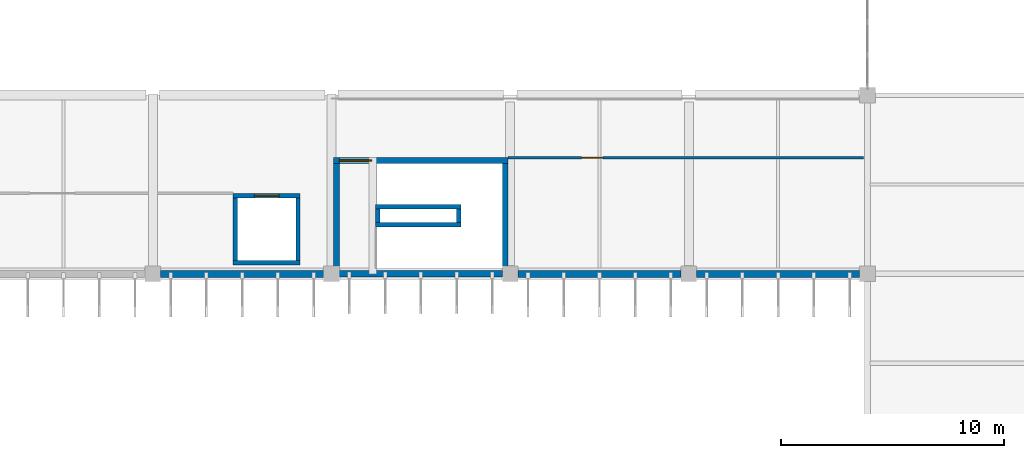
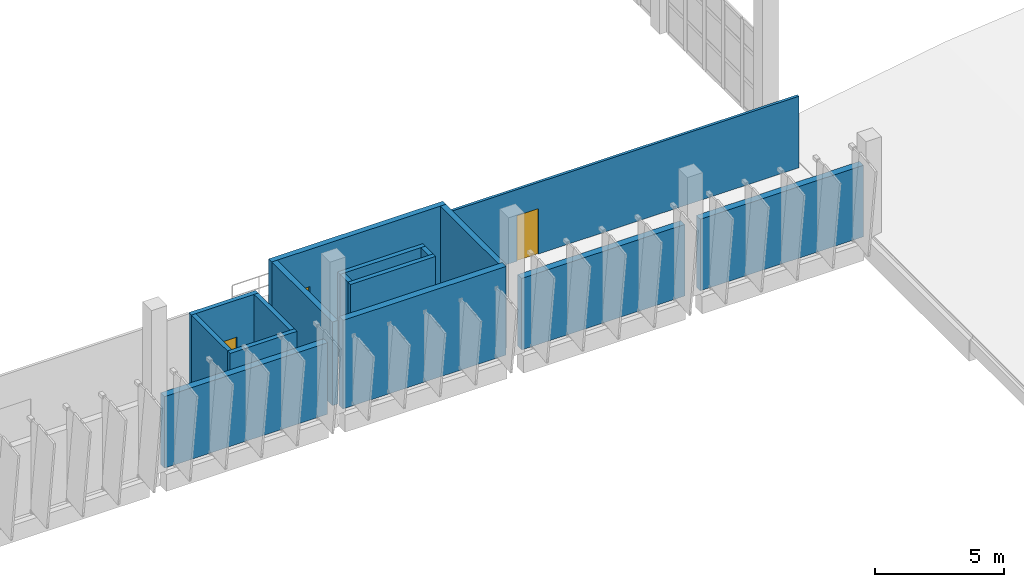
# One storey, part 48 of 66: 16 walls, 3 doors, 3 openings.
"""IFC4 building model written with IfcOpenShell, lengths in metres."""

from ifc_helpers import new_model, si_unit, direction, frame, frame_2d, origin, place, context, subcontext, project, spatial, rectangle, extrude, material, layer, layer_set, type_object, element, fill, save


model = new_model("IFC4")

# Units and contexts
model_context = context("Model", 3, precision=1e-05, world=origin(), true_north=direction((0.0, 1.0)))
body_context = subcontext(model_context, "Body", "Model", "MODEL_VIEW")
ifc_project = project(units=[si_unit("LENGTHUNIT", "METRE"), si_unit("AREAUNIT", "SQUARE_METRE"), si_unit("VOLUMEUNIT", "CUBIC_METRE"), si_unit("PLANEANGLEUNIT", "RADIAN"), si_unit("MASSUNIT", "GRAM", prefix="KILO")], contexts=[model_context])

# Site, building, storey
site_placement = place(None, origin())
site = spatial("IfcSite", under=ifc_project, at=site_placement, CompositionType="ELEMENT")
building_placement = place(site_placement, origin())
building = spatial("IfcBuilding", under=site, at=building_placement, Name="Drelvana Railside Aquatics Centre", CompositionType="ELEMENT")
storey_placement = place(building_placement, frame((0.0, 0.0, 10.199951171875)))
storey = spatial("IfcBuildingStorey", under=building, at=storey_placement, Name="L02", CompositionType="ELEMENT", Elevation=10.199951171875)

# Wall, opening, door
ifc_material_1 = material(Name="Concrete C40/50", Category="concrete")
ifc_layer_1 = layer(ifc_material_1, 0.25, Name="Concrete C40/50")
ifc_layer_set_1 = layer_set([ifc_layer_1], Name="Concrete C40/50")
wall_type_1 = type_object("IfcWallType", Name="WL-CORE-250", PredefinedType="SHEAR", material=ifc_layer_set_1)
wall_1_placement = place(storey_placement, frame((72.10009765625, 21.074951171875, 0.0), z_axis=(0.0, 0.0, 1.0), x_axis=(1.0, 0.0, 0.0)))
wall_1 = element("IfcWall", 1, at=wall_1_placement, inside=storey, type_object=wall_type_1, Name="Core 2 South-East Pool Hall N core wall (L02)", PredefinedType="SHEAR", context=body_context, shape_type="SweptSolid", body=[
    extrude(rectangle(XDim=7.7998046875, YDim=0.25, at=frame_2d((3.89990234375, 0.0))), origin(), (0.0, 0.0, 1.0), 3.9599609375),
])
opening_1_placement = place(wall_1_placement, frame((0.25, 0.0, 0.0)))
opening_1 = element("IfcOpeningElement", 2, at=opening_1_placement, cuts=wall_1, Name="Opening D-01-012", PredefinedType="OPENING", context=body_context, shape_type="SweptSolid", body=[
    extrude(rectangle(XDim=1.449951171875, YDim=2.199951171875, at=frame_2d((0.72509765625, 1.10009765625))), frame((0.0, 0.135009765625, 0.0), z_axis=(0.0, -1.0, 0.0), x_axis=(1.0, 0.0, 0.0)), (0.0, 0.0, 1.0), 0.27001953125),
])
ifc_material_2 = material(Name="Fire-rated steel and vision-panel door", Category="steel")
door_type_1 = type_object("IfcDoorType", Name="DR-INT-STAIR-1450x2200", OperationType="DOUBLE_DOOR_SINGLE_SWING", PredefinedType="DOOR", material=ifc_material_2)
door_1_placement = place(opening_1_placement, origin())
door_1 = element("IfcDoor", 3, at=door_1_placement, inside=storey, type_object=door_type_1, Name="Stair ST-02 lobby door D-01-012", OperationType="DOUBLE_DOOR_SINGLE_SWING", OverallHeight=2.199951171875, OverallWidth=1.449951171875, PredefinedType="DOOR", context=body_context, shape_type="SweptSolid", body=[
    extrude(rectangle(XDim=1.449951171875, YDim=2.199951171875, at=frame_2d((0.72509765625, 1.10009765625))), frame((0.0, 0.02490234375, 0.0), z_axis=(0.0, -1.0, 0.0), x_axis=(1.0, 0.0, 0.0)), (0.0, 0.0, 1.0), 0.050048828125),
])
fill(opening_1, door_1)

# Walls
for number, where, z_axis, x_axis, name in (
    (4, (72.22509765625, 16.25, 0.0), (0.0, 0.0, 1.0), (0.0, 1.0, 0.0), "Core 2 South-East Pool Hall W core wall (L02)"),
    (5, (79.77490234375, 16.25, 0.0), (0.0, 0.0, 1.0), (0.0, 1.0, 0.0), "Core 2 South-East Pool Hall E core wall (L02)"),
):
    element("IfcWall", number, at=place(storey_placement, frame(where, z_axis=z_axis, x_axis=x_axis)), inside=storey, type_object=wall_type_1, Name=name, PredefinedType="SHEAR", context=body_context, shape_type="SweptSolid", body=[
        extrude(rectangle(XDim=4.699951171875, YDim=0.25, at=frame_2d((2.35009765625, 0.0))), origin(), (0.0, 0.0, 1.0), 3.9599609375),
    ])
ifc_layer_2 = layer(ifc_material_1, 0.300048828125, Name="Concrete C40/50")
ifc_layer_set_2 = layer_set([ifc_layer_2], Name="Concrete C40/50")
wall_type_2 = type_object("IfcWallType", Name="WL-CORE-300", PredefinedType="SHEAR", material=ifc_layer_set_2)
wall_2_placement = place(storey_placement, frame((72.345947265625, 16.0, 0.0), z_axis=(0.0, 0.0, 1.0), x_axis=(1.0, 0.0, 0.0)))
element("IfcWall", 6, at=wall_2_placement, inside=storey, type_object=wall_type_2, Name="Pool Hall south L02 core shear wall 8", PredefinedType="SHEAR", context=body_context, shape_type="SweptSolid", body=[
    extrude(rectangle(XDim=7.30810546875, YDim=0.300048828125, at=frame_2d((3.654052734375, 0.0))), origin(), (0.0, 0.0, 1.0), 4.199951171875),
])

# Wall, opening, door
ifc_material_3 = material(Name="Acoustic twin-stud gypsum partition", Category="gypsum")
ifc_layer_3 = layer(ifc_material_3, 0.1201171875, Name="Acoustic twin-stud gypsum partition")
ifc_layer_set_3 = layer_set([ifc_layer_3], Name="Acoustic twin-stud gypsum partition")
wall_type_3 = type_object("IfcWallType", Name="WL-DRY-120", PredefinedType="PARTITIONING", material=ifc_layer_set_3)
wall_3_placement = place(storey_placement, frame((79.89990234375, 21.199951171875, 0.0), z_axis=(0.0, 0.0, 1.0), x_axis=(1.0, 0.0, 0.0)))
wall_3 = element("IfcWall", 7, at=wall_3_placement, inside=storey, type_object=wall_type_3, Name="L02 Commentary north wall", PredefinedType="PARTITIONING", context=body_context, shape_type="SweptSolid", body=[
    extrude(rectangle(XDim=15.920166015625, YDim=0.1201171875, at=frame_2d((7.9599609375, 0.0))), origin(), (0.0, 0.0, 1.0), 3.39013671875),
])
opening_2_placement = place(wall_3_placement, frame((3.300048828125, 0.0, 0.0)))
opening_2 = element("IfcOpeningElement", 8, at=opening_2_placement, cuts=wall_3, Name="Opening D-10-157", PredefinedType="OPENING", context=body_context, shape_type="SweptSolid", body=[
    extrude(rectangle(XDim=0.949951171875, YDim=2.14990234375, at=frame_2d((0.47509765625, 1.074951171875))), frame((0.0, 0.070068359375, 0.0), z_axis=(0.0, -1.0, 0.0), x_axis=(1.0, 0.0, 0.0)), (0.0, 0.0, 1.0), 0.14013671875),
])
ifc_material_4 = material(Name="Timber veneer office door", Category="wood")
door_type_2 = type_object("IfcDoorType", Name="DR-INT-OFF-950x2150", OperationType="NOTDEFINED", PredefinedType="DOOR", material=ifc_material_4)
door_2_placement = place(opening_2_placement, origin())
door_2 = element("IfcDoor", 9, at=door_2_placement, inside=storey, type_object=door_type_2, Name="Commentary and Timing Control door D-10-157", OperationType="SINGLE_SWING_RIGHT", OverallHeight=2.14990234375, OverallWidth=0.949951171875, PredefinedType="DOOR", context=body_context, shape_type="SweptSolid", body=[
    extrude(rectangle(XDim=0.949951171875, YDim=2.14990234375, at=frame_2d((0.47509765625, 1.074951171875))), frame((0.0, 0.02490234375, 0.0), z_axis=(0.0, -1.0, 0.0), x_axis=(1.0, 0.0, 0.0)), (0.0, 0.0, 1.0), 0.050048828125),
])
fill(opening_2, door_2)

# Walls
ifc_material_5 = material(Name="Terracotta rainscreen masonry wall", Category="masonry")
ifc_layer_4 = layer(ifc_material_5, 0.31005859375, Name="Terracotta rainscreen masonry wall")
ifc_layer_set_4 = layer_set([ifc_layer_4], Name="Terracotta rainscreen masonry wall")
wall_type_4 = type_object("IfcWallType", Name="WL-EXT-310", PredefinedType="STANDARD", material=ifc_layer_set_4)
for number, where, z_axis, x_axis, name in (
    (10, (64.345947265625, 16.0, 0.0), (0.0, 0.0, 1.0), (1.0, 0.0, 0.0), "V1S L02 eyelid upper wall 7"),
    (11, (80.345947265625, 16.0, 0.0), (0.0, 0.0, 1.0), (1.0, 0.0, 0.0), "V1S L02 eyelid upper wall 9"),
    (12, (88.345947265625, 16.0, 0.0), (0.0, 0.0, 1.0), (1.0, 0.0, 0.0), "V1S L02 eyelid upper wall 10"),
):
    element("IfcWall", number, at=place(storey_placement, frame(where, z_axis=z_axis, x_axis=x_axis)), inside=storey, type_object=wall_type_4, Name=name, PredefinedType="STANDARD", context=body_context, shape_type="SweptSolid", body=[
        extrude(rectangle(XDim=7.30810546875, YDim=0.31005859375, at=frame_2d((3.654052734375, 0.0))), origin(), (0.0, 0.0, 1.0), 3.39013671875),
    ])
ifc_layer_5 = layer(ifc_material_1, 0.199951171875, Name="Concrete C40/50")
ifc_layer_set_5 = layer_set([ifc_layer_5], Name="Concrete C40/50")
wall_type_5 = type_object("IfcWallType", Name="WL-SHFT-200", PredefinedType="SHEAR", material=ifc_layer_set_5)
for number, where, z_axis, x_axis, name in (
    (13, (73.969970703125, 18.199951171875, 0.0), (0.0, 0.0, 1.0), (1.0, 0.0, 0.0), "Stair ST-02 central spine wall A (L02)"),
    (14, (73.969970703125, 19.0, 0.0), (0.0, 0.0, 1.0), (1.0, 0.0, 0.0), "Stair ST-02 central spine wall B (L02)"),
):
    element("IfcWall", number, at=place(storey_placement, frame(where, z_axis=z_axis, x_axis=x_axis)), inside=storey, type_object=wall_type_5, Name=name, PredefinedType="SHEAR", context=body_context, shape_type="SweptSolid", body=[
        extrude(rectangle(XDim=3.820068359375, YDim=0.199951171875, at=frame_2d((1.91015625, 0.0))), origin(), (0.0, 0.0, 1.0), 3.9599609375),
    ])
for number, where, z_axis, x_axis, name in (
    (15, (74.070068359375, 18.300048828125, 0.0), (0.0, 0.0, 1.0), (0.0, 1.0, 0.0), "Stair ST-02 central spine wall W (L02)"),
    (16, (77.68994140625, 18.300048828125, 0.0), (0.0, 0.0, 1.0), (0.0, 1.0, 0.0), "Stair ST-02 central spine wall E (L02)"),
):
    element("IfcWall", number, at=place(storey_placement, frame(where, z_axis=z_axis, x_axis=x_axis)), inside=storey, type_object=wall_type_5, Name=name, PredefinedType="SHEAR", context=body_context, shape_type="SweptSolid", body=[
        extrude(rectangle(XDim=0.599853515625, YDim=0.199951171875, at=frame_2d((0.2998046875, 0.0))), origin(), (0.0, 0.0, 1.0), 3.9599609375),
    ])
wall_4_placement = place(storey_placement, frame((67.60009765625, 16.5, 0.0), z_axis=(0.0, 0.0, 1.0), x_axis=(1.0, 0.0, 0.0)))
element("IfcWall", 17, at=wall_4_placement, inside=storey, type_object=wall_type_5, Name="Lift LP-02 S shaft wall (L02)", PredefinedType="SHEAR", context=body_context, shape_type="SweptSolid", body=[
    extrude(rectangle(XDim=3.0, YDim=0.199951171875, at=frame_2d((1.5, 0.0))), origin(), (0.0, 0.0, 1.0), 3.9599609375),
])

# Wall, opening, door
wall_5_placement = place(storey_placement, frame((67.60009765625, 19.5, 0.0), z_axis=(0.0, 0.0, 1.0), x_axis=(1.0, 0.0, 0.0)))
wall_5 = element("IfcWall", 18, at=wall_5_placement, inside=storey, type_object=wall_type_5, Name="Lift LP-02 N shaft wall (L02)", PredefinedType="SHEAR", context=body_context, shape_type="SweptSolid", body=[
    extrude(rectangle(XDim=3.0, YDim=0.199951171875, at=frame_2d((1.5, 0.0))), origin(), (0.0, 0.0, 1.0), 3.9599609375),
])
opening_3_placement = place(wall_5_placement, frame((0.949951171875, 0.0, 0.0)))
opening_3 = element("IfcOpeningElement", 19, at=opening_3_placement, cuts=wall_5, Name="Opening LD-01-016", PredefinedType="OPENING", context=body_context, shape_type="SweptSolid", body=[
    extrude(rectangle(XDim=1.10009765625, YDim=2.199951171875, at=frame_2d((0.550048828125, 1.10009765625))), frame((0.0, 0.10986328125, 0.0), z_axis=(0.0, -1.0, 0.0), x_axis=(1.0, 0.0, 0.0)), (0.0, 0.0, 1.0), 0.219970703125),
])
ifc_material_6 = material(Name="Stainless steel lift landing sliding door", Category="steel")
door_type_3 = type_object("IfcDoorType", Name="DR-LIFT-LD-1100x2200", OperationType="SLIDING_TO_LEFT", PredefinedType="DOOR", material=ifc_material_6)
door_3_placement = place(opening_3_placement, origin())
door_3 = element("IfcDoor", 20, at=door_3_placement, inside=storey, type_object=door_type_3, Name="Lift LP-02 landing door LD-01-016", OperationType="SLIDING_TO_LEFT", OverallHeight=2.199951171875, OverallWidth=1.10009765625, PredefinedType="DOOR", context=body_context, shape_type="SweptSolid", body=[
    extrude(rectangle(XDim=1.10009765625, YDim=2.199951171875, at=frame_2d((0.550048828125, 1.10009765625))), frame((0.0, 0.02490234375, 0.0), z_axis=(0.0, -1.0, 0.0), x_axis=(1.0, 0.0, 0.0)), (0.0, 0.0, 1.0), 0.050048828125),
])
fill(opening_3, door_3)

# Walls
for number, where, z_axis, x_axis, name in (
    (21, (67.699951171875, 16.60009765625, 0.0), (0.0, 0.0, 1.0), (0.0, 1.0, 0.0), "Lift LP-02 W shaft wall (L02)"),
    (22, (70.5, 16.60009765625, 0.0), (0.0, 0.0, 1.0), (0.0, 1.0, 0.0), "Lift LP-02 E shaft wall (L02)"),
):
    element("IfcWall", number, at=place(storey_placement, frame(where, z_axis=z_axis, x_axis=x_axis)), inside=storey, type_object=wall_type_5, Name=name, PredefinedType="SHEAR", context=body_context, shape_type="SweptSolid", body=[
        extrude(rectangle(XDim=2.7998046875, YDim=0.199951171875, at=frame_2d((1.39990234375, 0.0))), origin(), (0.0, 0.0, 1.0), 3.9599609375),
    ])

save(model, "model.ifc")
